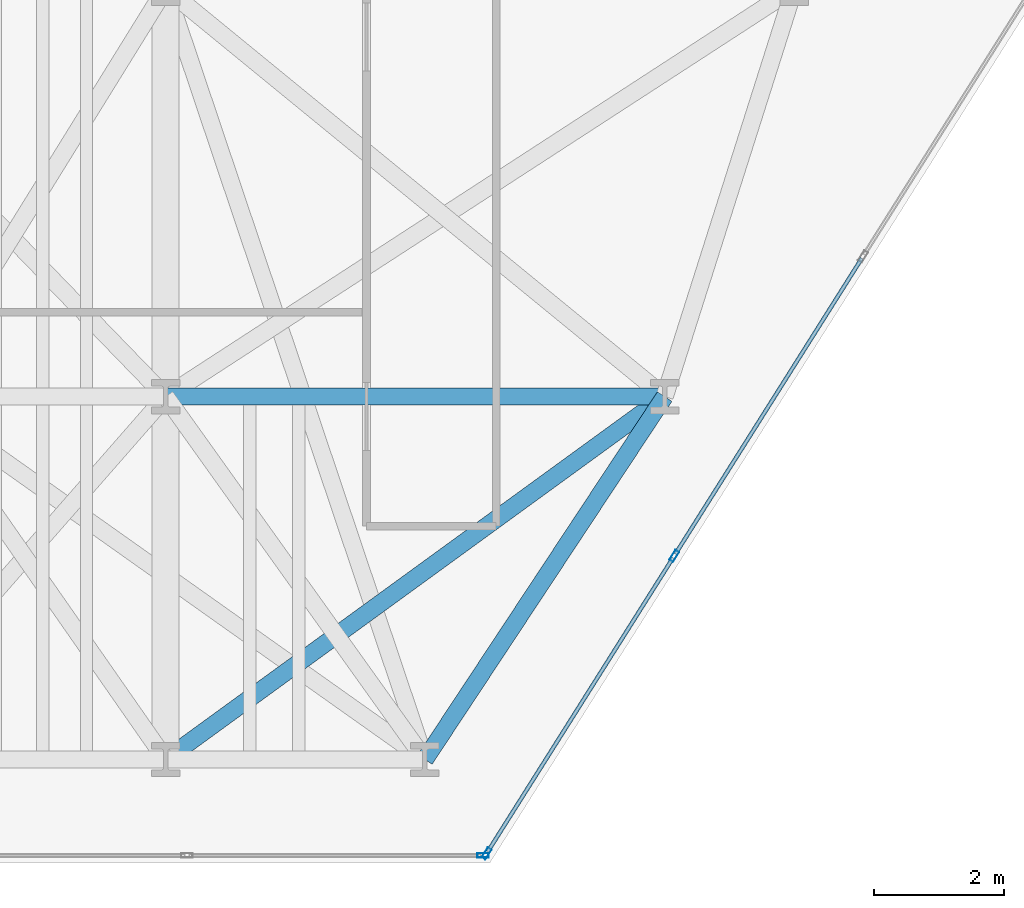
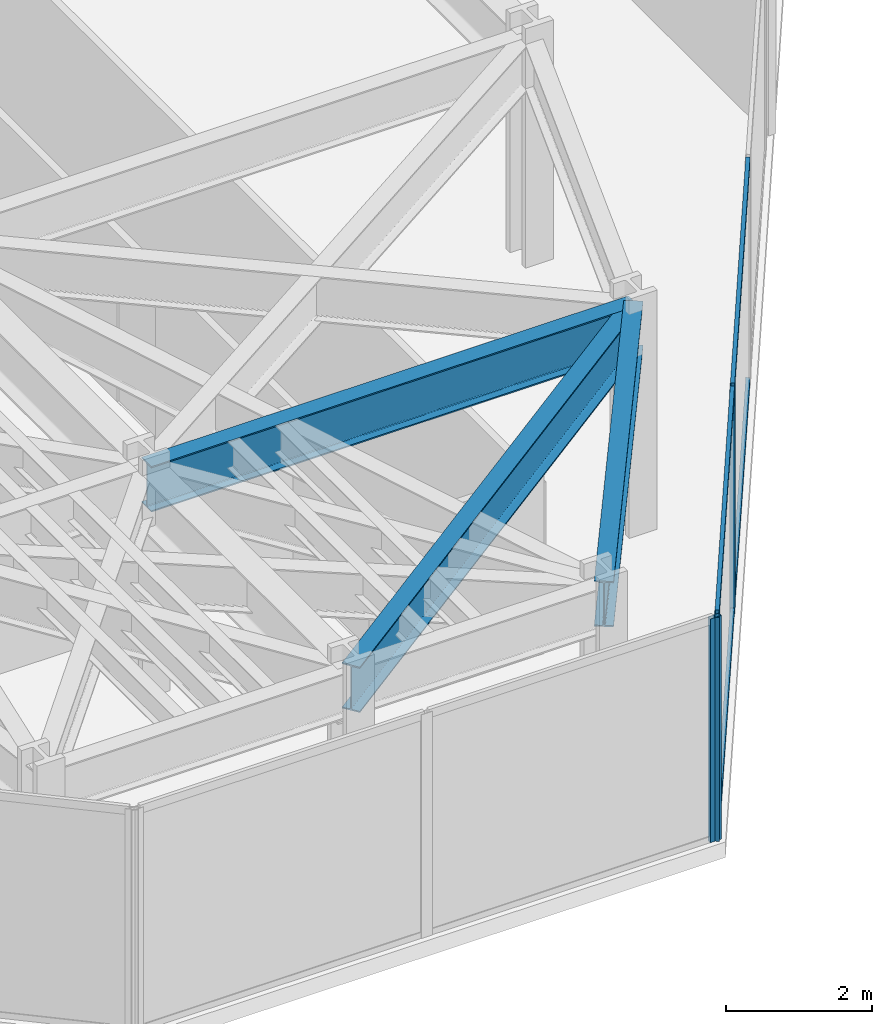
# One storey, part 5 of 25: 7 members, 3 beams, 2 elements without a shape of their own.
"""IFC4 building model written with IfcOpenShell, lengths in metres."""

from ifc_helpers import new_model, si_unit, direction, frame, origin, origin_2d, place, context, subcontext, project, spatial, hollow_rectangle, i_section, extrude, material, layer, layer_set, material_profile, profile_set, type_object, element, aggregate, save


model = new_model("IFC4")

# Units and contexts
model_context = context("Model", 3, precision=1e-05, world=origin(), true_north=direction((0.0, 1.0)))
body_context = subcontext(model_context, "Body", "Model", "MODEL_VIEW")
ifc_project = project(units=[si_unit("LENGTHUNIT", "METRE"), si_unit("AREAUNIT", "SQUARE_METRE"), si_unit("VOLUMEUNIT", "CUBIC_METRE"), si_unit("PLANEANGLEUNIT", "RADIAN"), si_unit("MASSUNIT", "GRAM", prefix="KILO")], contexts=[model_context])

# Site, building, storey
site_placement = place(None, origin())
site = spatial("IfcSite", under=ifc_project, at=site_placement, CompositionType="ELEMENT")
building_placement = place(site_placement, origin())
building = spatial("IfcBuilding", under=site, at=building_placement, Name="Kravanh Interchange Tower", CompositionType="ELEMENT")
storey_placement = place(building_placement, frame((0.0, 0.0, 33.5)))
storey = spatial("IfcBuildingStorey", under=building, at=storey_placement, Name="L07", CompositionType="ELEMENT", Elevation=33.5)

# Curtain wall, members
ifc_material_1 = material(Name="Anodised Bronze Aluminium", Category="aluminium")
ifc_layer = layer(ifc_material_1, 0.179931640625)
ifc_layer_set = layer_set([ifc_layer], Name="Unitised Curtain Wall System CW-Z1 Lower Office")
curtain_wall_type = type_object("IfcCurtainWallType", Name="Unitised Curtain Wall System CW-Z1 Lower Office", PredefinedType="NOTDEFINED", material=ifc_layer_set)
curtain_wall_1_placement = place(storey_placement, origin())
curtain_wall_1 = element("IfcCurtainWall", 1, at=curtain_wall_1_placement, inside=storey, type_object=curtain_wall_type, Name="L07 Unitised Curtain Wall CW-L07-05", PredefinedType="NOTDEFINED")
ifc_material_2 = material(Name="Anodised Bronze Aluminium", Category="aluminium")
ifc_material_profile_1 = material_profile(ifc_material_2, hollow_rectangle(XDim=0.070068359375, YDim=0.179931640625, WallThickness=0.00390625, at=origin_2d()), Name="ALU70X180X4")
ifc_profile_set_1 = profile_set([ifc_material_profile_1], Name="Anodised Bronze Aluminium")
member_type_1 = type_object("IfcMemberType", Name="Curtain Wall Mullion ALU70X180X4 Bronze", PredefinedType="MULLION", material=ifc_profile_set_1)
member_1_placement = place(storey_placement, frame((25.346923828125, 5.740966796875, 0.0), z_axis=(0.0, 0.0, 1.0), x_axis=(0.845925530786, -0.53330103728, 0.0)))
member_1 = element("IfcMember", 2, at=member_1_placement, type_object=member_type_1, Name="CW-Z1 mullion 5", PredefinedType="MULLION", context=body_context, shape_type="SweptSolid", body=[
    extrude(hollow_rectangle(XDim=0.070068359375, YDim=0.179931640625, WallThickness=0.00390625, at=origin_2d()), origin(), (0.0, 0.0, 1.0), 3.739990234375),
])
member_2_placement = place(storey_placement, frame((22.452392578125, 1.149658203125, 0.0), z_axis=(0.0, 0.0, 1.0), x_axis=(0.845925530786, -0.53330103728, 0.0)))
member_2 = element("IfcMember", 3, at=member_2_placement, type_object=member_type_1, Name="CW-Z1 mullion 6", PredefinedType="MULLION", context=body_context, shape_type="SweptSolid", body=[
    extrude(hollow_rectangle(XDim=0.070068359375, YDim=0.179931640625, WallThickness=0.00390625, at=origin_2d()), origin(), (0.0, 0.0, 1.0), 3.739990234375),
])

# Curtain wall, member
curtain_wall_2_placement = place(storey_placement, origin())
curtain_wall_2 = element("IfcCurtainWall", 4, at=curtain_wall_2_placement, inside=storey, type_object=curtain_wall_type, Name="L07 Unitised Curtain Wall CW-L07-06", PredefinedType="NOTDEFINED")
member_3_placement = place(storey_placement, frame((22.398681640625, 1.1201171875, 0.0), z_axis=(0.0, 0.0, 1.0), x_axis=(0.0, -1.0, 0.0)))
member_3 = element("IfcMember", 5, at=member_3_placement, type_object=member_type_1, Name="CW-Z1 mullion 1", PredefinedType="MULLION", context=body_context, shape_type="SweptSolid", body=[
    extrude(hollow_rectangle(XDim=0.070068359375, YDim=0.179931640625, WallThickness=0.00390625, at=origin_2d()), origin(), (0.0, 0.0, 1.0), 3.739990234375),
])
aggregate(curtain_wall_2, [member_3])

# Member
ifc_material_3 = material(Name="Anodised Bronze Aluminium", Category="aluminium")
ifc_material_profile_2 = material_profile(ifc_material_3, hollow_rectangle(XDim=0.06005859375, YDim=0.139892578125, WallThickness=0.00390625, at=origin_2d()), Name="ALU60X140X4")
ifc_profile_set_2 = profile_set([ifc_material_profile_2], Name="Anodised Bronze Aluminium")
member_type_2 = type_object("IfcMemberType", Name="Curtain Wall Transom ALU60X140X4 Bronze", PredefinedType="USERDEFINED", material=ifc_profile_set_2)
member_4_placement = place(storey_placement, frame((28.24169921875, 10.332275390625, 0.030029296875), z_axis=(-0.533311487456, -0.84591894254, 0.0), x_axis=(0.84591894254, -0.533311487456, 0.0)))
member_4 = element("IfcMember", 6, at=member_4_placement, type_object=member_type_2, Name="CW-Z1 transom 4.1", ObjectType="TRANSOM", PredefinedType="USERDEFINED", context=body_context, shape_type="SweptSolid", body=[
    extrude(hollow_rectangle(XDim=0.06005859375, YDim=0.139892578125, WallThickness=0.00390625, at=origin_2d()), origin(), (0.0, 0.0, 1.0), 5.392578125),
])

member_5_placement = place(storey_placement, frame((28.24169921875, 10.332275390625, 3.7099609375), z_axis=(-0.533311487456, -0.84591894254, 0.0), x_axis=(0.84591894254, -0.533311487456, 0.0)))
member_5 = element("IfcMember", 7, at=member_5_placement, type_object=member_type_2, Name="CW-Z1 transom 4.2", ObjectType="TRANSOM", PredefinedType="USERDEFINED", context=body_context, shape_type="SweptSolid", body=[
    extrude(hollow_rectangle(XDim=0.06005859375, YDim=0.139892578125, WallThickness=0.00390625, at=origin_2d()), origin(), (0.0, 0.0, 1.0), 5.392578125),
])

member_6_placement = place(storey_placement, frame((25.328369140625, 5.71142578125, 0.030029296875), z_axis=(-0.533288163518, -0.845933646719, 0.0), x_axis=(0.845933646719, -0.533288163518, 0.0)))
member_6 = element("IfcMember", 8, at=member_6_placement, type_object=member_type_2, Name="CW-Z1 transom 5.1", ObjectType="TRANSOM", PredefinedType="USERDEFINED", context=body_context, shape_type="SweptSolid", body=[
    extrude(hollow_rectangle(XDim=0.06005859375, YDim=0.139892578125, WallThickness=0.00390625, at=origin_2d()), origin(), (0.0, 0.0, 1.0), 5.357666015625),
])

member_7_placement = place(storey_placement, frame((25.328369140625, 5.71142578125, 3.7099609375), z_axis=(-0.533288163518, -0.845933646719, 0.0), x_axis=(0.845933646719, -0.533288163518, 0.0)))
member_7 = element("IfcMember", 9, at=member_7_placement, type_object=member_type_2, Name="CW-Z1 transom 5.2", ObjectType="TRANSOM", PredefinedType="USERDEFINED", context=body_context, shape_type="SweptSolid", body=[
    extrude(hollow_rectangle(XDim=0.06005859375, YDim=0.139892578125, WallThickness=0.00390625, at=origin_2d()), origin(), (0.0, 0.0, 1.0), 5.357666015625),
])

aggregate(curtain_wall_1, [member_1, member_2, member_4, member_5, member_6, member_7])

# Beams
ifc_material_4 = material(Name="Structural Steel S355", Category="steel")
ifc_material_profile_3 = material_profile(ifc_material_4, i_section(OverallWidth=0.26708984375, OverallDepth=0.761962890625, WebThickness=0.014404296875, FlangeThickness=0.021484375, FilletRadius=0.02490234375, at=origin_2d()), Name="W30X116")
ifc_profile_set_3 = profile_set([ifc_material_profile_3], Name="Structural Steel S355")
beam_type = type_object("IfcBeamType", Name="Floor Spandrel W30X116 Structural Steel S355", PredefinedType="SPANDREL", material=ifc_profile_set_3)
beam_1_placement = place(storey_placement, frame((17.5, 2.60009765625, 3.35888671875), z_axis=(0.808741628611, 0.588164074176, 0.0), x_axis=(-0.588164074176, 0.808741628611, 0.0)))
element("IfcBeam", 10, at=beam_1_placement, inside=storey, type_object=beam_type, Name="L07 Perimeter Spandrel 105", PredefinedType="SPANDREL", context=body_context, shape_type="SweptSolid", body=[
    extrude(i_section(OverallWidth=0.26708984375, OverallDepth=0.761962890625, WebThickness=0.014404296875, FlangeThickness=0.021484375, FilletRadius=0.02490234375, at=origin_2d()), origin(), (0.0, 0.0, 1.0), 9.52099609375),
])
beam_2_placement = place(storey_placement, frame((21.5, 2.60009765625, 3.35888671875), z_axis=(0.551262239226, 0.834332034386, 0.0), x_axis=(-0.834332034386, 0.551262239226, 0.0)))
element("IfcBeam", 11, at=beam_2_placement, inside=storey, type_object=beam_type, Name="L07 Perimeter Spandrel 121", PredefinedType="SPANDREL", context=body_context, shape_type="SweptSolid", body=[
    extrude(i_section(OverallWidth=0.26708984375, OverallDepth=0.761962890625, WebThickness=0.014404296875, FlangeThickness=0.021484375, FilletRadius=0.02490234375, at=origin_2d()), origin(), (0.0, 0.0, 1.0), 6.711669921875),
])
beam_3_placement = place(storey_placement, frame((17.5, 8.199951171875, 3.35888671875), z_axis=(1.0, 0.0, 0.0), x_axis=(0.0, 1.0, 0.0)))
element("IfcBeam", 12, at=beam_3_placement, inside=storey, type_object=beam_type, Name="L07 Perimeter Spandrel 137", PredefinedType="SPANDREL", context=body_context, shape_type="SweptSolid", body=[
    extrude(i_section(OverallWidth=0.26708984375, OverallDepth=0.761962890625, WebThickness=0.014404296875, FlangeThickness=0.021484375, FilletRadius=0.02490234375, at=origin_2d()), origin(), (0.0, 0.0, 1.0), 7.699951171875),
])

save(model, "model.ifc")
